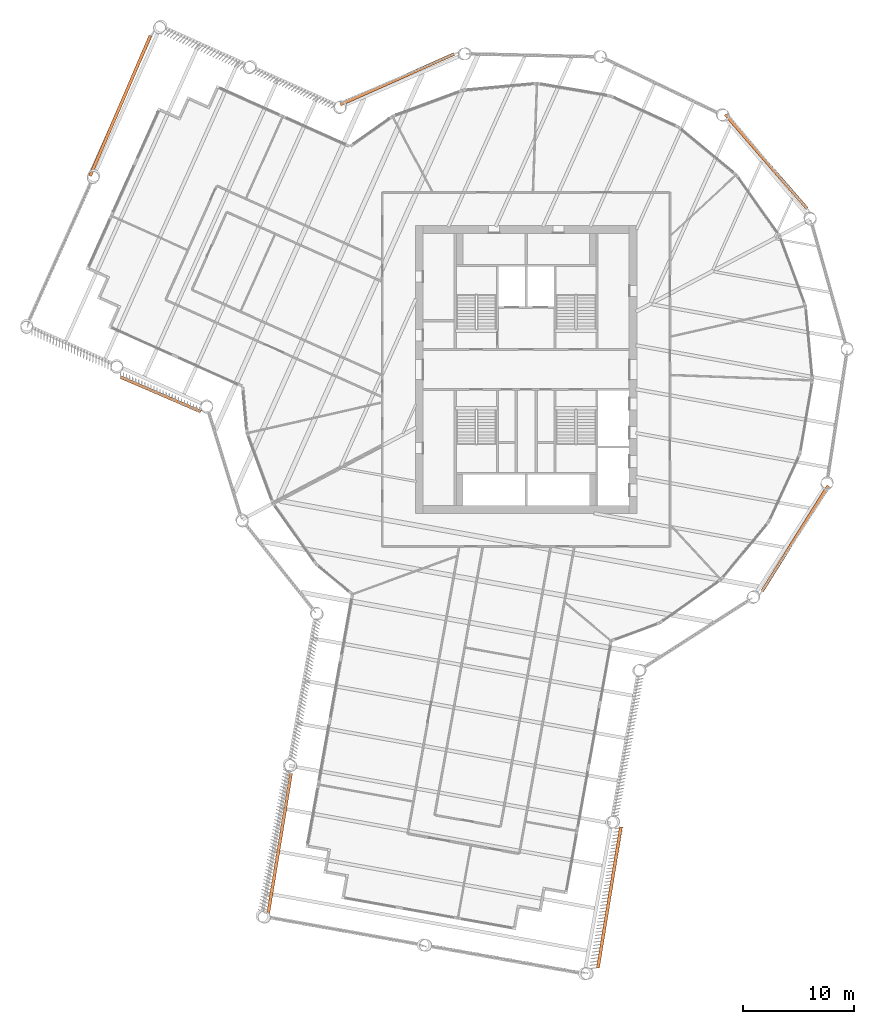
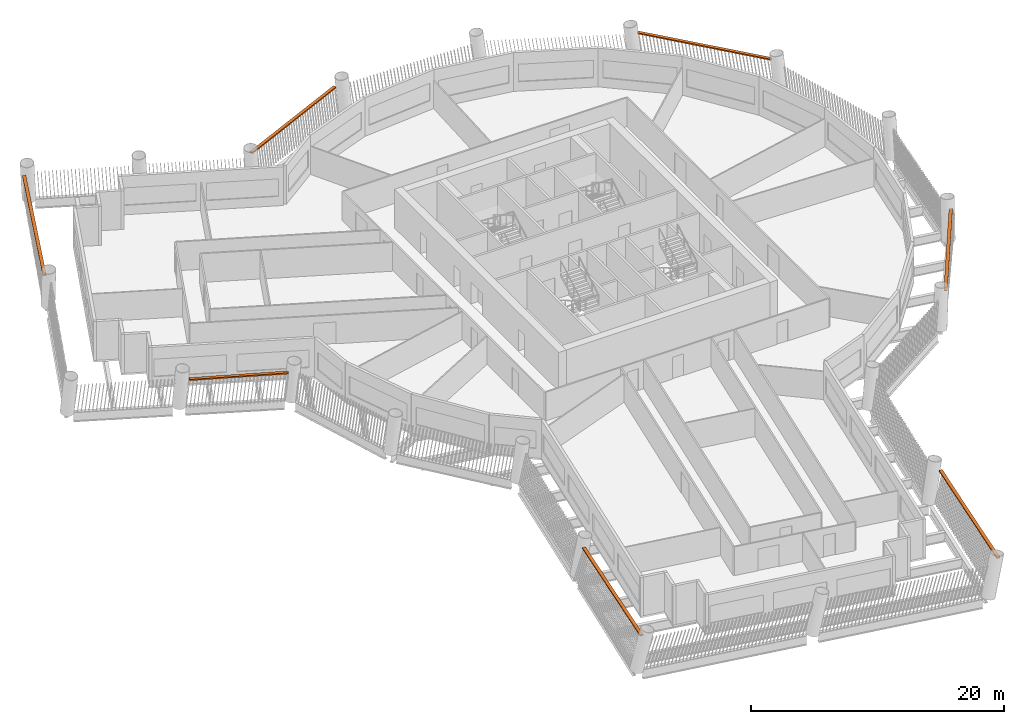
# One storey, part 14 of 14: 7 proxies.
"""IFC4 building model written with IfcOpenShell, lengths in metres."""

from ifc_helpers import new_model, si_unit, direction, frame, origin, origin_2d, place, context, subcontext, project, spatial, rectangle, extrude, material, type_object, element, save


model = new_model("IFC4")

# Units and contexts
model_context = context("Model", 3, precision=1e-05, world=origin(), true_north=direction((0.0, 1.0)))
body_context = subcontext(model_context, "Body", "Model", "MODEL_VIEW")
ifc_project = project(units=[si_unit("LENGTHUNIT", "METRE"), si_unit("AREAUNIT", "SQUARE_METRE"), si_unit("VOLUMEUNIT", "CUBIC_METRE"), si_unit("PLANEANGLEUNIT", "RADIAN"), si_unit("MASSUNIT", "GRAM", prefix="KILO")], contexts=[model_context])

# Site, building, storey
site_placement = place(None, origin())
site = spatial("IfcSite", under=ifc_project, at=site_placement, CompositionType="ELEMENT")
building_placement = place(site_placement, origin())
building = spatial("IfcBuilding", under=site, at=building_placement, Name="Tarsis Ring Headquarters", CompositionType="ELEMENT")
storey_placement = place(building_placement, frame((0.0, 0.0, 182.699951171875)))
storey = spatial("IfcBuildingStorey", under=building, at=storey_placement, Name="L42", CompositionType="ELEMENT", Elevation=182.699951171875)

# Proxies
ifc_material = material(Name="Structural steel S355", Category="steel")
building_element_proxy_type = type_object("IfcBuildingElementProxyType", Name="Screen bracket plate", PredefinedType="USERDEFINED", material=ifc_material)
for number, where, z_axis, x_axis, name in (
    (1, (-22.276123046875, -42.822265625, 2.949951171875), (0.0, 0.0, 1.0), (-0.160914860969, -0.98696829104, 0.0), "Screen bracket L42-02"),
    (2, (7.5205078125, -47.680419921875, 2.949951171875), (0.0, 0.0, 1.0), (0.160914809292, 0.986968299466, 0.0), "Screen bracket L42-05"),
):
    element("IfcBuildingElementProxy", number, at=place(storey_placement, frame(where, z_axis=z_axis, x_axis=x_axis)), inside=storey, type_object=building_element_proxy_type, Name=name, ObjectType="Bracket", PredefinedType="USERDEFINED", context=body_context, shape_type="SweptSolid", body=[
        extrude(rectangle(XDim=12.90234375, YDim=0.280029296875, at=origin_2d()), origin(), (0.0, 0.0, 1.0), 0.1201171875),
    ])
for number, where, z_axis, x_axis, name in (
    (3, (24.300048828125, -15.2529296875, 2.949951171875), (0.0, 0.0, 1.0), (0.531638445915, 0.846971406143, 0.0), "Screen bracket L42-08"),
    (4, (21.68212890625, 18.7890625, 2.949951171875), (0.0, 0.0, 1.0), (-0.654889186197, 0.7557249194, 0.0), "Screen bracket L42-11"),
    (5, (-11.641357421875, 26.22265625, 2.949951171875), (0.0, 0.0, 1.0), (-0.913979941089, -0.405759371163, 0.0), "Screen bracket L42-14"),
):
    element("IfcBuildingElementProxy", number, at=place(storey_placement, frame(where, z_axis=z_axis, x_axis=x_axis)), inside=storey, type_object=building_element_proxy_type, Name=name, ObjectType="Bracket", PredefinedType="USERDEFINED", context=body_context, shape_type="SweptSolid", body=[
        extrude(rectangle(XDim=11.248779296875, YDim=0.280029296875, at=origin_2d()), origin(), (0.0, 0.0, 1.0), 0.1201171875),
    ])
proxy_1_placement = place(storey_placement, frame((-36.669921875, 23.81689453125, 2.949951171875), z_axis=(0.0, 0.0, 1.0), x_axis=(-0.394904193654, -0.918722307248, 0.0)))
element("IfcBuildingElementProxy", 6, at=proxy_1_placement, inside=storey, type_object=building_element_proxy_type, Name="Screen bracket L42-17", ObjectType="Bracket", PredefinedType="USERDEFINED", context=body_context, shape_type="SweptSolid", body=[
    extrude(rectangle(XDim=13.800048828125, YDim=0.280029296875, at=origin_2d()), origin(), (0.0, 0.0, 1.0), 0.1201171875),
])
proxy_2_placement = place(storey_placement, frame((-33.014404296875, -2.239501953125, 2.949951171875), z_axis=(0.0, 0.0, 1.0), x_axis=(0.918722279678, -0.394904257793, 0.0)))
element("IfcBuildingElementProxy", 7, at=proxy_2_placement, inside=storey, type_object=building_element_proxy_type, Name="Screen bracket L42-20", ObjectType="Bracket", PredefinedType="USERDEFINED", context=body_context, shape_type="SweptSolid", body=[
    extrude(rectangle(XDim=7.90234375, YDim=0.280029296875, at=origin_2d()), origin(), (0.0, 0.0, 1.0), 0.1201171875),
])

save(model, "model.ifc")
